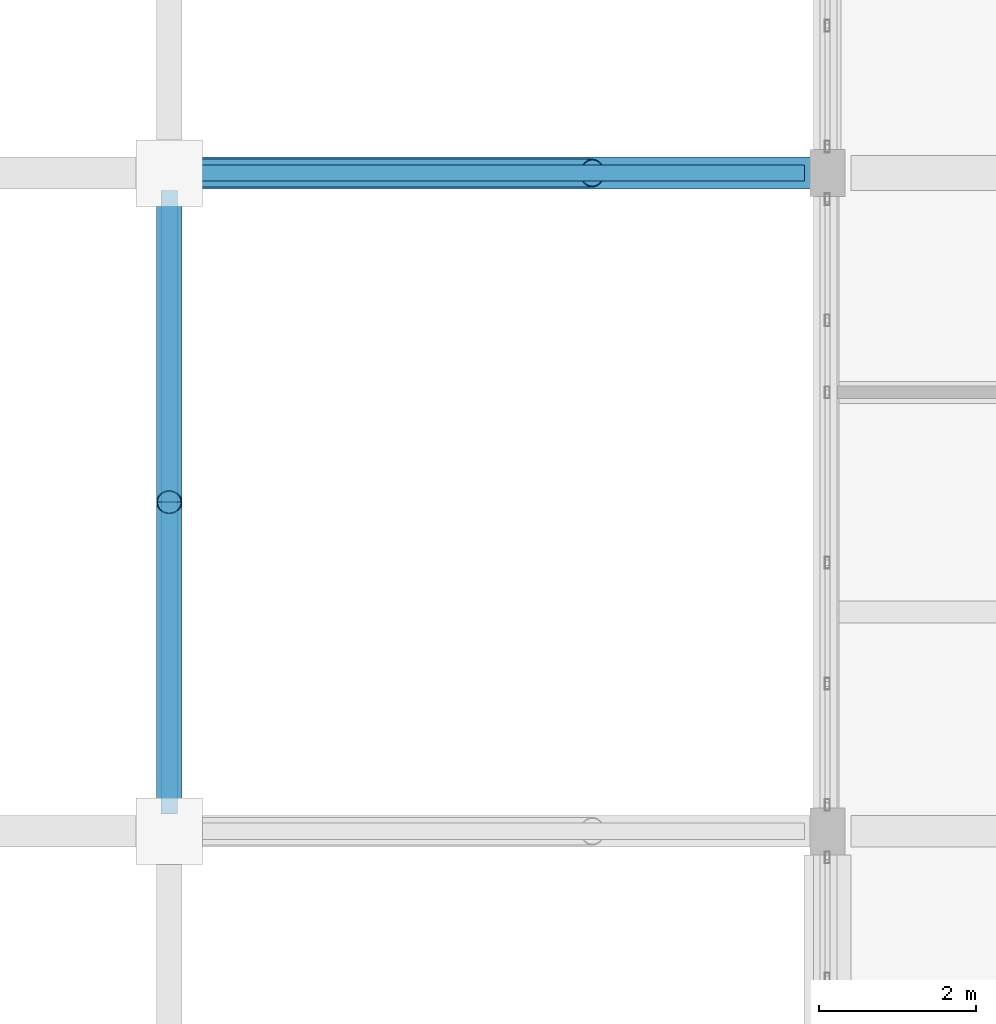
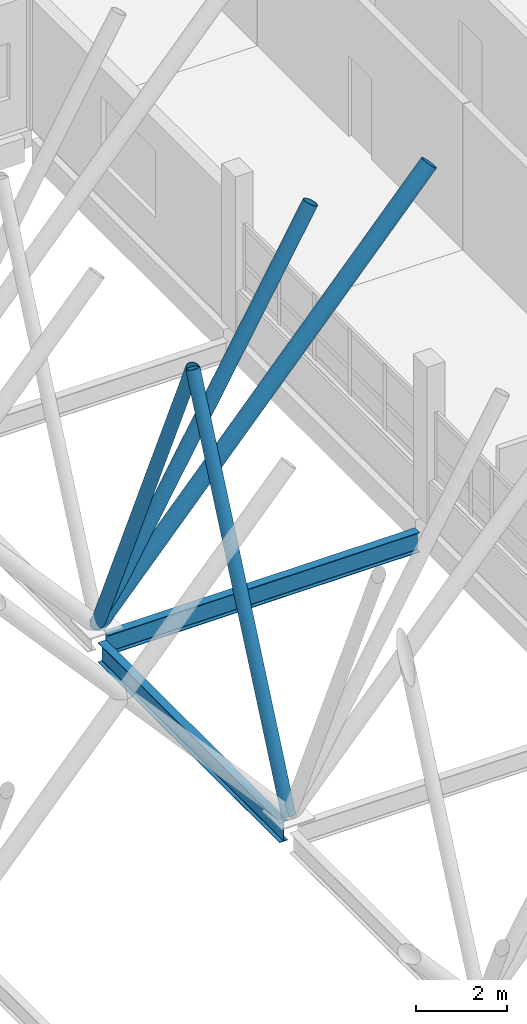
# One storey, part 29 of 107: 4 members, 2 beams.
"""IFC4 building model written with IfcOpenShell, lengths in metres."""

from ifc_helpers import new_model, si_unit, direction, frame, origin, origin_2d, place, context, subcontext, project, spatial, hollow_circle, i_section, extrude, material, material_profile, profile_set, type_object, element, save


model = new_model("IFC4")

# Units and contexts
model_context = context("Model", 3, precision=1e-05, world=origin(), true_north=direction((0.0, 1.0)))
body_context = subcontext(model_context, "Body", "Model", "MODEL_VIEW")
ifc_project = project(units=[si_unit("LENGTHUNIT", "METRE"), si_unit("AREAUNIT", "SQUARE_METRE"), si_unit("VOLUMEUNIT", "CUBIC_METRE"), si_unit("PLANEANGLEUNIT", "RADIAN"), si_unit("MASSUNIT", "GRAM", prefix="KILO")], contexts=[model_context])

# Site, building, storey
site_placement = place(None, origin())
site = spatial("IfcSite", under=ifc_project, at=site_placement, CompositionType="ELEMENT")
building_placement = place(site_placement, origin())
building = spatial("IfcBuilding", under=site, at=building_placement, Name="Vireocrest Preparatory School", CompositionType="ELEMENT")
storey_placement = place(building_placement, frame((0.0, 0.0, 13.199951171875)))
storey = spatial("IfcBuildingStorey", under=building, at=storey_placement, Name="L03", CompositionType="ELEMENT", Elevation=13.199951171875)

# Beams
ifc_material_1 = material(Name="Structural steel ASTM A992 Grade 50", Category="steel")
ifc_material_profile_1 = material_profile(ifc_material_1, i_section(OverallWidth=0.208984375, OverallDepth=0.532958984375, WebThickness=0.01025390625, FlangeThickness=0.015625, FilletRadius=0.014892578125, at=origin_2d()), Name="W21X62")
ifc_profile_set_1 = profile_set([ifc_material_profile_1], Name="Structural steel ASTM A992 Grade 50")
beam_type = type_object("IfcBeamType", Name="Court Tie Girder W21X62", PredefinedType="BEAM", material=ifc_profile_set_1)
beam_1_placement = place(storey_placement, frame((84.2236328125, 77.39990234375, -0.56640625), z_axis=(1.0, 0.0, 0.0), x_axis=(0.0, 1.0, 0.0)))
element("IfcBeam", 1, at=beam_1_placement, inside=storey, type_object=beam_type, Name="Court Trunk Lateral Tie Girder SB5 E7 L03", PredefinedType="BEAM", context=body_context, shape_type="SweptSolid", body=[
    extrude(i_section(OverallWidth=0.208984375, OverallDepth=0.532958984375, WebThickness=0.01025390625, FlangeThickness=0.015625, FilletRadius=0.014892578125, at=origin_2d()), origin(), (0.0, 0.0, 1.0), 7.88134765625),
])
beam_2_placement = place(storey_placement, frame((84.0, 69.219970703125, -0.56640625), z_axis=(0.0, 1.0, 0.0), x_axis=(-1.0, 0.0, 0.0)))
element("IfcBeam", 2, at=beam_2_placement, inside=storey, type_object=beam_type, Name="Court Trunk Spine Girder SB5 E6 L03", PredefinedType="BEAM", context=body_context, shape_type="SweptSolid", body=[
    extrude(i_section(OverallWidth=0.208984375, OverallDepth=0.532958984375, WebThickness=0.01025390625, FlangeThickness=0.015625, FilletRadius=0.014892578125, at=origin_2d()), origin(), (0.0, 0.0, 1.0), 7.9599609375),
])

# Members
ifc_material_2 = material(Name="Painted white steel ASTM A500 Grade C", Category="steel")
ifc_material_profile_2 = material_profile(ifc_material_2, hollow_circle(Radius=0.161865234375, WallThickness=0.0126953125, at=origin_2d()), Name="HSS12.750X0.500")
ifc_profile_set_2 = profile_set([ifc_material_profile_2], Name="Painted white steel ASTM A500 Grade C")
member_type_1 = type_object("IfcMemberType", Name="White Steel Canopy Tie Strut HSS12.750X0.500", PredefinedType="USERDEFINED", material=ifc_profile_set_2)
for number, where, z_axis, x_axis, name in (
    (3, (84.0, 69.0, -0.0048828125), (0.0, 0.407216567456, 0.913331630455), (-1.0, 0.0, 0.0), "Longitudinal V-Strut VS2 E6-N"),
    (4, (84.0, 77.39990234375, -0.0048828125), (0.0, -0.407216567456, 0.913331630455), (1.0, 0.0, 0.0), "Longitudinal V-Strut VS2 E7-S"),
):
    element("IfcMember", number, at=place(storey_placement, frame(where, z_axis=z_axis, x_axis=x_axis)), inside=storey, type_object=member_type_1, Name=name, ObjectType="STRUT", PredefinedType="USERDEFINED", context=body_context, shape_type="SweptSolid", body=[
        extrude(hollow_circle(Radius=0.161865234375, WallThickness=0.0126953125, at=origin_2d()), origin(), (0.0, 0.0, 1.0), 10.313720703125),
    ])
ifc_material_profile_3 = material_profile(ifc_material_2, hollow_circle(Radius=0.177734375, WallThickness=0.0126953125, at=origin_2d()), Name="HSS14.000X0.500")
ifc_profile_set_3 = profile_set([ifc_material_profile_3], Name="Painted white steel ASTM A500 Grade C")
member_type_2 = type_object("IfcMemberType", Name="White Steel Canopy V-Strut HSS14.000X0.500", PredefinedType="USERDEFINED", material=ifc_profile_set_3)
member_1_placement = place(storey_placement, frame((84.0, 77.39990234375, -0.010009765625), z_axis=(0.496917813622, 0.0, 0.867797606879), x_axis=(0.0, 1.0, 0.0)))
element("IfcMember", 5, at=member_1_placement, inside=storey, type_object=member_type_2, Name="White Steel V-Strut VS1 E7", ObjectType="STRUT", PredefinedType="USERDEFINED", context=body_context, shape_type="SweptSolid", body=[
    extrude(hollow_circle(Radius=0.177734375, WallThickness=0.0126953125, at=origin_2d()), origin(), (0.0, 0.0, 1.0), 10.86669921875),
])
ifc_material_profile_4 = material_profile(ifc_material_2, hollow_circle(Radius=0.203125, WallThickness=0.0126953125, at=origin_2d()), Name="HSS16.000X0.500")
ifc_profile_set_4 = profile_set([ifc_material_profile_4], Name="Painted white steel ASTM A500 Grade C")
member_type_3 = type_object("IfcMemberType", Name="White Steel V-Column Branch HSS16.000X0.500", PredefinedType="USERDEFINED", material=ifc_profile_set_4)
member_2_placement = place(storey_placement, frame((84.0, 77.39990234375, -0.010009765625), z_axis=(0.665138630213, 0.0, 0.746719895676), x_axis=(0.0, 1.0, 0.0)))
element("IfcMember", 6, at=member_2_placement, inside=storey, type_object=member_type_3, Name="White Steel V-Column Branch VC3 E7-A2", ObjectType="STRUT", PredefinedType="USERDEFINED", context=body_context, shape_type="SweptSolid", body=[
    extrude(hollow_circle(Radius=0.203125, WallThickness=0.0126953125, at=origin_2d()), origin(), (0.0, 0.0, 1.0), 12.62890625),
])

save(model, "model.ifc")
